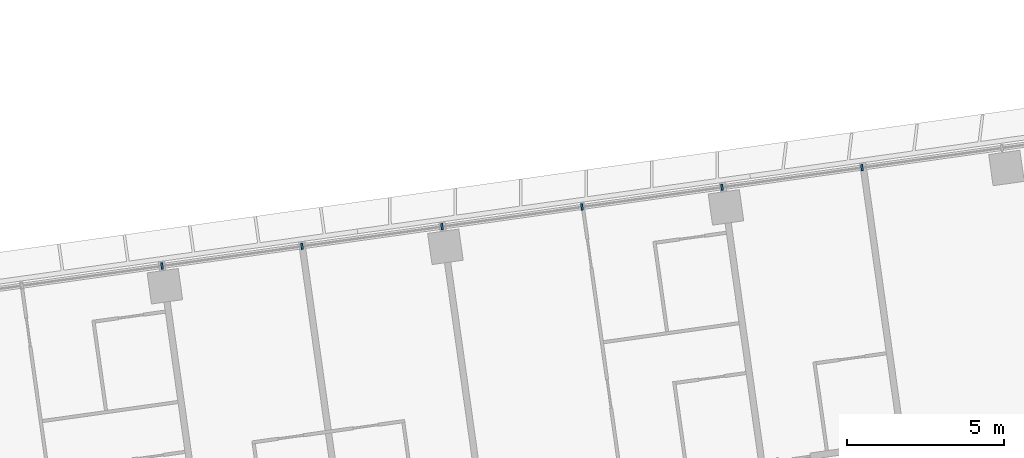
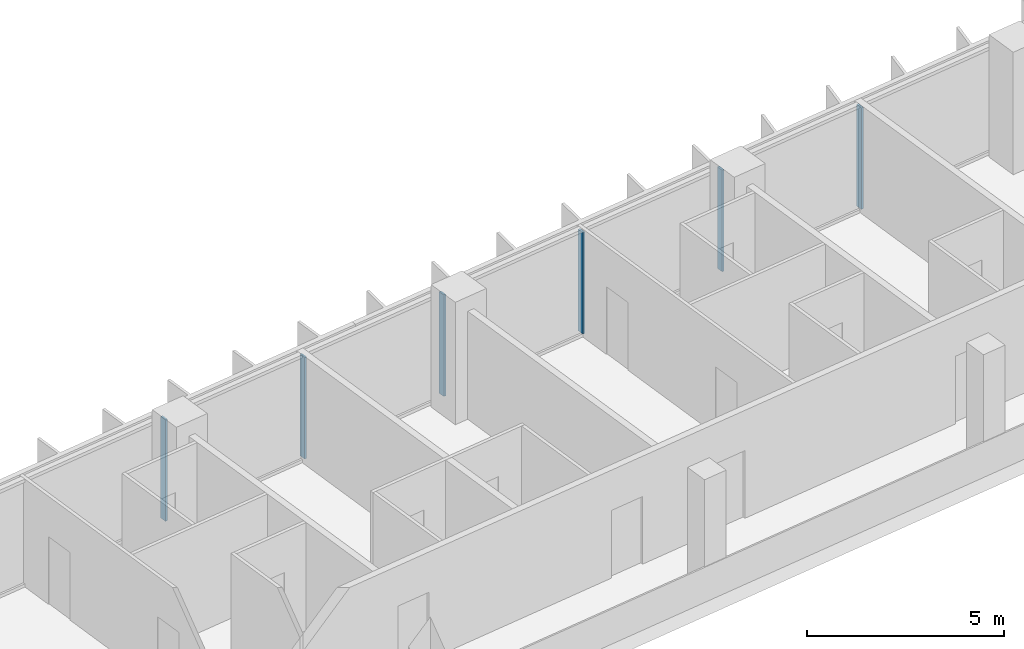
# One storey, part 10 of 25: 6 members, 1 element without a shape of its own.
"""IFC4 building model written with IfcOpenShell, lengths in metres."""

import ifcopenshell
import ifcopenshell.guid

model = None  # the IFC model being written
_history = None  # IfcOwnerHistory: only IFC2X3 demands one
_inside = {}  # id of a spatial element -> (the spatial element, [elements in it])
_under = {}  # id of a project, library or spatial element -> (it, [spatial elements below it])
_declared = {}  # id of a project -> (the project, [libraries it declares])
_typed = {}  # id of a type object -> (the type object, [elements of that type])
_made_of = {}  # id of a material, layer set ... -> (it, [elements and type objects made of it])


def new_model(schema):
    """Start an empty IFC model of exactly this schema.

    Asked for "IFC4X3", IfcOpenShell would pick the latest addendum, in which some entities
    have other attributes; the version numbers below select the first issue.
    IFC2X3 requires an IfcOwnerHistory on every rooted entity: one is made here for all.
    """
    global model, _history
    if schema == "IFC4X3":
        model = ifcopenshell.file(schema_version=(4, 3, 0, 0))
    else:
        model = ifcopenshell.file(schema=schema)
    _inside.clear()
    _under.clear()
    _declared.clear()
    _typed.clear()
    _made_of.clear()
    _history = None
    if model.schema == "IFC2X3":
        org = make("IfcOrganization", Name="unknown")
        user = make(
            "IfcPersonAndOrganization",
            ThePerson=make("IfcPerson", FamilyName="unknown"),
            TheOrganization=org,
        )
        app = make(
            "IfcApplication",
            ApplicationDeveloper=org,
            Version="unknown",
            ApplicationFullName="unknown",
            ApplicationIdentifier="unknown",
        )
        _history = make(
            "IfcOwnerHistory",
            OwningUser=user,
            OwningApplication=app,
            ChangeAction="ADDED",
            CreationDate=0,
        )
    return model


def make(cls, **values):
    """One entity of the class cls with the attributes given. An attribute that is None is left unset."""
    return model.create_entity(
        cls, **{name: value for name, value in values.items() if value is not None}
    )


def rooted(cls, **values):
    """An entity with a GlobalId (a new one), such as an element, a storey or a relation."""
    return make(cls, GlobalId=ifcopenshell.guid.new(), OwnerHistory=_history, **values)


def si_unit(unit_type, name, prefix=None):
    """IfcSIUnit, for example si_unit("LENGTHUNIT", "METRE", prefix="MILLI")."""
    return make("IfcSIUnit", UnitType=unit_type, Prefix=prefix, Name=name)


def assignment(units):
    """IfcUnitAssignment: the units of a project."""
    return None if units is None else make("IfcUnitAssignment", Units=units)


def point(xyz):
    """IfcCartesianPoint."""
    return None if xyz is None else make("IfcCartesianPoint", Coordinates=xyz)


def direction(xyz):
    """IfcDirection."""
    return None if xyz is None else make("IfcDirection", DirectionRatios=xyz)


def frame(location, z_axis=None, x_axis=None):
    """IfcAxis2Placement3D, a coordinate frame: its origin and axes. An axis left out is left unset."""
    return make(
        "IfcAxis2Placement3D",
        Location=point(location),
        Axis=direction(z_axis),
        RefDirection=direction(x_axis),
    )


def frame_2d(location, x_axis=None):
    """IfcAxis2Placement2D, a coordinate frame in the plane: its origin and x axis."""
    return make(
        "IfcAxis2Placement2D", Location=point(location), RefDirection=direction(x_axis)
    )


def origin():
    """The frame at (0, 0, 0) with its axes left unset."""
    return frame((0.0, 0.0, 0.0))


def origin_2d():
    """The frame at (0, 0) in the plane with its x axis left unset."""
    return frame_2d((0.0, 0.0))


def place(relative_to, where):
    """IfcLocalPlacement: puts the frame where relative to a parent placement (None: the world)."""
    return make(
        "IfcLocalPlacement", PlacementRelTo=relative_to, RelativePlacement=where
    )


def context(
    kind, dimensions, precision=None, world=None, true_north=None, identifier=None
):
    """IfcGeometricRepresentationContext, for example the 3D "Model" context."""
    return make(
        "IfcGeometricRepresentationContext",
        ContextIdentifier=identifier,
        ContextType=kind,
        CoordinateSpaceDimension=dimensions,
        Precision=precision,
        WorldCoordinateSystem=world,
        TrueNorth=true_north,
    )


def subcontext(parent, identifier, kind, view, scale=None):
    """IfcGeometricRepresentationSubContext, for example "Body" below "Model"."""
    return make(
        "IfcGeometricRepresentationSubContext",
        ContextIdentifier=identifier,
        ContextType=kind,
        ParentContext=parent,
        TargetScale=scale,
        TargetView=view,
    )


def project(units=None, contexts=None):
    """IfcProject with its units and contexts."""
    return rooted(
        "IfcProject",
        Name="project",
        RepresentationContexts=contexts,
        UnitsInContext=assignment(units),
    )


def spatial(cls, under=None, at=None, **own):
    """A site, building, storey or space (cls), placed at a placement, below another one or the project."""
    s = rooted(cls, ObjectPlacement=at, **own)
    if under is not None:
        _under.setdefault(under.id(), (under, []))[1].append(s)
    return s


def profile(cls, at=None, kind="AREA", **sizes):
    """A parametric profile (cls). Its sizes go by their IFC names, for example OverallWidth=200.0."""
    return make(cls, ProfileType=kind, Position=at, **sizes)


def rectangle(**sizes):
    """IfcRectangleProfileDef."""
    return profile("IfcRectangleProfileDef", **sizes)


def extrude(swept, where, along, depth):
    """IfcExtrudedAreaSolid: the profile swept, set in the frame where, extruded along a direction by depth."""
    return make(
        "IfcExtrudedAreaSolid",
        SweptArea=swept,
        Position=where,
        ExtrudedDirection=direction(along),
        Depth=depth,
    )


def shape(context_of_items, identifier, shape_type, items):
    """IfcShapeRepresentation: the items that make up one representation, for example the "Body"."""
    return make(
        "IfcShapeRepresentation",
        ContextOfItems=context_of_items,
        RepresentationIdentifier=identifier,
        RepresentationType=shape_type,
        Items=items,
    )


def material(Name=None, Category=None):
    """IfcMaterial."""
    return make("IfcMaterial", Name=Name, Category=Category)


def material_profile(
    of_material, cross_section, Name=None, Category=None, Priority=None
):
    """IfcMaterialProfile: a cross section and its material."""
    return make(
        "IfcMaterialProfile",
        Name=Name,
        Material=of_material,
        Profile=cross_section,
        Priority=Priority,
        Category=Category,
    )


def profile_set(profiles, Name=None, composite=None):
    """IfcMaterialProfileSet."""
    return make(
        "IfcMaterialProfileSet",
        Name=Name,
        MaterialProfiles=profiles,
        CompositeProfile=composite,
    )


def made_of(thing, what):
    """Note that an element or type object is made of a material, layer set ...; save() writes the relation."""
    if what is not None:
        _made_of.setdefault(what.id(), (what, []))[1].append(thing)
    return thing


def type_object(cls, material=None, **own):
    """A type object (cls), such as IfcWallType, which elements share."""
    return made_of(rooted(cls, **own), material)


def element(
    cls,
    number,
    at=None,
    inside=None,
    cuts=None,
    type_object=None,
    material=None,
    context=None,
    identifier="Body",
    shape_type=None,
    held_by="IfcProductDefinitionShape",
    body=None,
    shapes=None,
    **own,
):
    """One element of the class cls, such as IfcWall. Its Tag is "e" and its number.

    at: its placement. inside: the storey or other place that contains it. cuts: it is an
    opening in that element (IfcRelVoidsElement). A single representation is given by context,
    identifier, shape_type and body (its items); several are given by shapes. held_by: the class
    of the entity that holds the representations. save() writes the other relations.
    """
    e = rooted(cls, Tag="e%d" % number, ObjectPlacement=at, **own)
    if body is not None:
        shapes = [shape(context, identifier, shape_type, body)]
    if shapes is not None:
        e.Representation = make(held_by, Representations=shapes)
    if inside is not None:
        _inside.setdefault(inside.id(), (inside, []))[1].append(e)
    if cuts is not None:
        rooted(
            "IfcRelVoidsElement", RelatingBuildingElement=cuts, RelatedOpeningElement=e
        )
    if type_object is not None:
        _typed.setdefault(type_object.id(), (type_object, []))[1].append(e)
    return made_of(e, material)


def aggregate(whole, parts):
    """IfcRelAggregates: a whole, such as a stair, and the parts it consists of."""
    return rooted("IfcRelAggregates", RelatingObject=whole, RelatedObjects=parts)


def save(model, path):
    """Write the relations noted so far, then the file.

    IfcRelAggregates (storeys below a building ...), IfcRelContainedInSpatialStructure (elements
    in a storey), IfcRelDefinesByType, IfcRelAssociatesMaterial and IfcRelDeclares: one each for
    every whole, place, type object, material and project.
    """
    for whole, parts in _under.values():
        aggregate(whole, parts)
    for where, things in _inside.values():
        rooted(
            "IfcRelContainedInSpatialStructure",
            RelatedElements=things,
            RelatingStructure=where,
        )
    for kind, things in _typed.values():
        rooted("IfcRelDefinesByType", RelatedObjects=things, RelatingType=kind)
    for what, things in _made_of.values():
        rooted("IfcRelAssociatesMaterial", RelatedObjects=things, RelatingMaterial=what)
    for by, libraries in _declared.values():
        rooted("IfcRelDeclares", RelatingContext=by, RelatedDefinitions=libraries)
    model.write(path)


model = new_model("IFC4")

# Units and contexts
model_context = context("Model", 3, precision=1e-05, world=origin(), true_north=direction((0.0, 1.0)))
body_context = subcontext(model_context, "Body", "Model", "MODEL_VIEW")
ifc_project = project(units=[si_unit("LENGTHUNIT", "METRE"), si_unit("AREAUNIT", "SQUARE_METRE"), si_unit("VOLUMEUNIT", "CUBIC_METRE"), si_unit("PLANEANGLEUNIT", "RADIAN"), si_unit("MASSUNIT", "GRAM", prefix="KILO")], contexts=[model_context])

# Site, building, storey
site_placement = place(None, origin())
site = spatial("IfcSite", under=ifc_project, at=site_placement, CompositionType="ELEMENT")
building_placement = place(site_placement, origin())
building = spatial("IfcBuilding", under=site, at=building_placement, Name="Mirante Cascada Hotel Towers", CompositionType="ELEMENT")
storey_placement = place(building_placement, frame((0.0, 0.0, 54.7)))
storey = spatial("IfcBuildingStorey", under=building, at=storey_placement, Name="L10", CompositionType="ELEMENT", Elevation=54.7)

# Curtain wall, members
ifc_material_1 = material(Name="Aluminium mullion and transom frame with clear laminated glass", Category="aluminium")
curtain_wall_type = type_object("IfcCurtainWallType", Name="Ribbon curtain wall ECW1", PredefinedType="NOTDEFINED", material=ifc_material_1)
curtain_wall_placement = place(storey_placement, origin())
curtain_wall = element("IfcCurtainWall", 1, at=curtain_wall_placement, inside=storey, type_object=curtain_wall_type, Name="Front ribbon wall T2 L10", PredefinedType="NOTDEFINED")
ifc_material_2 = material(Name="Anodised aluminium extrusion", Category="aluminium")
ifc_material_profile = material_profile(ifc_material_2, rectangle(XDim=0.2, YDim=0.065, at=origin_2d()), Name="ECW1 MULLION 65x200")
ifc_profile_set = profile_set([ifc_material_profile], Name="Anodised aluminium extrusion")
member_type = type_object("IfcMemberType", Name="ECW1 mullion 65x200", PredefinedType="MULLION", material=ifc_profile_set)
member_1_placement = place(storey_placement, frame((85.2633, 24.802, 0.1), z_axis=(0.0, 0.0, 1.0), x_axis=(0.1391731, -0.9902681, 0.0)))
member_1 = element("IfcMember", 2, at=member_1_placement, type_object=member_type, Name="ECW1 mullion 3", PredefinedType="MULLION", context=body_context, shape_type="SweptSolid", body=[
    extrude(rectangle(XDim=0.2, YDim=0.065, at=origin_2d()), origin(), (0.0, 0.0, 1.0), 3.15),
])
member_2_placement = place(storey_placement, frame((80.8159, 24.177, 0.1), z_axis=(0.0, 0.0, 1.0), x_axis=(0.1391731, -0.9902681, 0.0)))
member_2 = element("IfcMember", 3, at=member_2_placement, type_object=member_type, Name="ECW1 mullion 4", PredefinedType="MULLION", context=body_context, shape_type="SweptSolid", body=[
    extrude(rectangle(XDim=0.2, YDim=0.065, at=origin_2d()), origin(), (0.0, 0.0, 1.0), 3.15),
])
member_3_placement = place(storey_placement, frame((76.3685, 23.5519, 0.1), z_axis=(0.0, 0.0, 1.0), x_axis=(0.1391731, -0.9902681, 0.0)))
member_3 = element("IfcMember", 4, at=member_3_placement, type_object=member_type, Name="ECW1 mullion 5", PredefinedType="MULLION", context=body_context, shape_type="SweptSolid", body=[
    extrude(rectangle(XDim=0.2, YDim=0.065, at=origin_2d()), origin(), (0.0, 0.0, 1.0), 3.15),
])
member_4_placement = place(storey_placement, frame((71.9211, 22.9269, 0.1), z_axis=(0.0, 0.0, 1.0), x_axis=(0.1391731, -0.9902681, 0.0)))
member_4 = element("IfcMember", 5, at=member_4_placement, type_object=member_type, Name="ECW1 mullion 6", PredefinedType="MULLION", context=body_context, shape_type="SweptSolid", body=[
    extrude(rectangle(XDim=0.2, YDim=0.065, at=origin_2d()), origin(), (0.0, 0.0, 1.0), 3.15),
])
member_5_placement = place(storey_placement, frame((67.4737, 22.3018, 0.1), z_axis=(0.0, 0.0, 1.0), x_axis=(0.1391731, -0.9902681, 0.0)))
member_5 = element("IfcMember", 6, at=member_5_placement, type_object=member_type, Name="ECW1 mullion 7", PredefinedType="MULLION", context=body_context, shape_type="SweptSolid", body=[
    extrude(rectangle(XDim=0.2, YDim=0.065, at=origin_2d()), origin(), (0.0, 0.0, 1.0), 3.15),
])
member_6_placement = place(storey_placement, frame((63.0262, 21.6768, 0.1), z_axis=(0.0, 0.0, 1.0), x_axis=(0.1391731, -0.9902681, 0.0)))
member_6 = element("IfcMember", 7, at=member_6_placement, type_object=member_type, Name="ECW1 mullion 8", PredefinedType="MULLION", context=body_context, shape_type="SweptSolid", body=[
    extrude(rectangle(XDim=0.2, YDim=0.065, at=origin_2d()), origin(), (0.0, 0.0, 1.0), 3.15),
])
aggregate(curtain_wall, [member_1, member_2, member_3, member_4, member_5, member_6])

save(model, "model.ifc")
